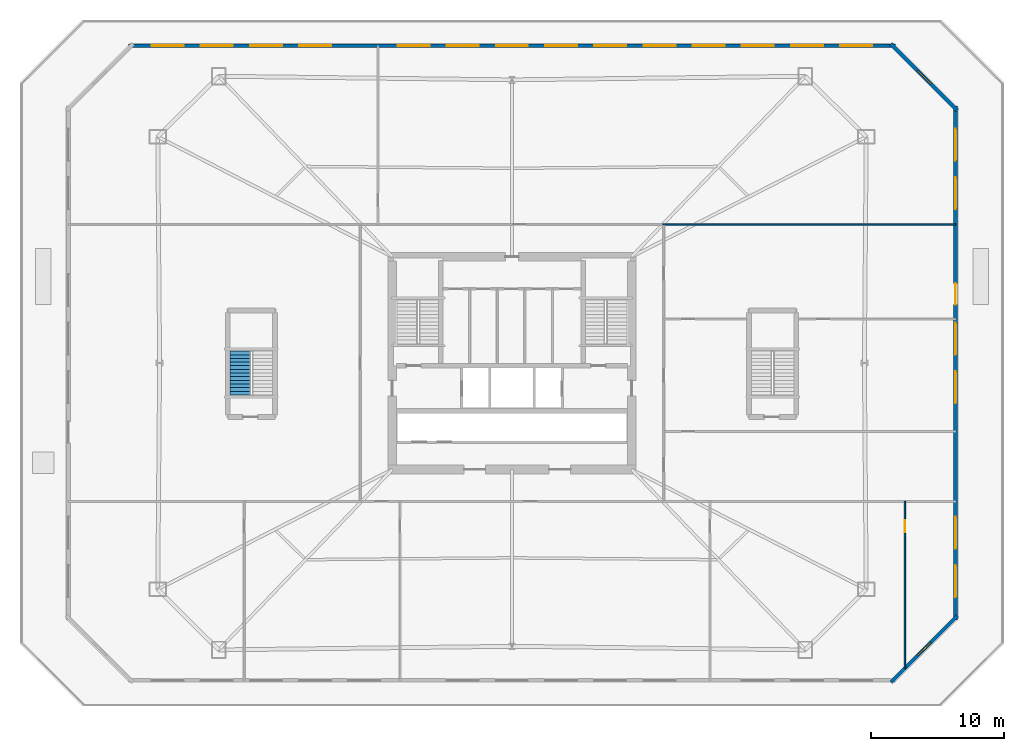
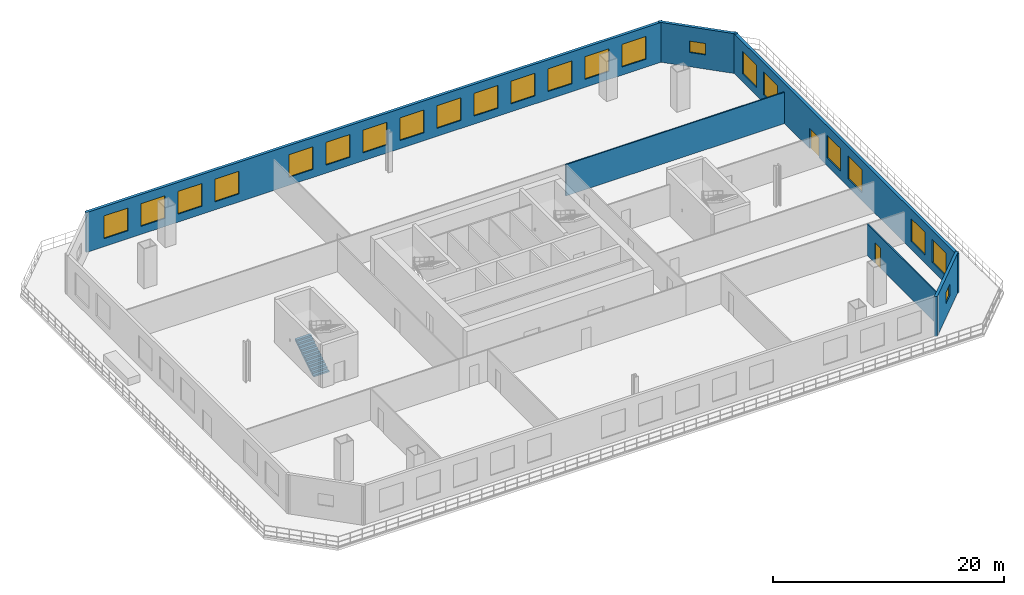
# One storey, part 5 of 10: 22 windows, 6 walls, 2 doors, 1 stair flight, 24 openings, 1 element without a shape of its own.
"""IFC4 building model written with IfcOpenShell, lengths in metres."""

from ifc_helpers import new_model, si_unit, direction, frame, frame_2d, origin, place, context, subcontext, project, spatial, polyline, rectangle, outline, extrude, material, layer, layer_set, type_object, element, fill, aggregate, save


model = new_model("IFC4")

# Units and contexts
model_context = context("Model", 3, precision=1e-05, world=origin(), true_north=direction((0.0, 1.0)))
body_context = subcontext(model_context, "Body", "Model", "MODEL_VIEW")
ifc_project = project(units=[si_unit("LENGTHUNIT", "METRE"), si_unit("AREAUNIT", "SQUARE_METRE"), si_unit("VOLUMEUNIT", "CUBIC_METRE"), si_unit("PLANEANGLEUNIT", "RADIAN"), si_unit("MASSUNIT", "GRAM", prefix="KILO")], contexts=[model_context])

# Site, building, storey
site_placement = place(None, origin())
site = spatial("IfcSite", under=ifc_project, at=site_placement, CompositionType="ELEMENT")
building_placement = place(site_placement, origin())
building = spatial("IfcBuilding", under=site, at=building_placement, Name="Caelvoria Tower", CompositionType="ELEMENT")
storey_placement = place(building_placement, frame((0.0, 0.0, 14.0)))
storey = spatial("IfcBuildingStorey", under=building, at=storey_placement, Name="L03", CompositionType="ELEMENT", Elevation=14.0)

# Wall, opening, window
ifc_material_1 = material(Name="Precast Concrete C40/50 with Bronze Cladding", Category="concrete")
ifc_layer_1 = layer(ifc_material_1, 0.280029296875, Name="Precast Concrete C40/50 with Bronze Cladding")
ifc_layer_set_1 = layer_set([ifc_layer_1], Name="Exterior Precast Concrete C40/50 Bronze-Clad Facade Wall 280 - Precast Concrete C40/50 with Bronze Cladding")
wall_type_1 = type_object("IfcWallType", Name="Exterior Precast Concrete C40/50 Bronze-Clad Facade Wall 280", PredefinedType="STANDARD", material=ifc_layer_set_1)
wall_1_placement = place(storey_placement, frame((74.501953125, 8.0, 0.0), z_axis=(0.0, 0.0, 1.0), x_axis=(0.707106781187, 0.707106781187, 0.0)))
wall_1 = element("IfcWall", 1, at=wall_1_placement, inside=storey, type_object=wall_type_1, Name="Exterior Facade Wall L03-E1", PredefinedType="STANDARD", context=body_context, shape_type="SweptSolid", body=[
    extrude(rectangle(XDim=7.068359375, YDim=0.280029296875, at=frame_2d((3.5341796875, 0.0))), origin(), (0.0, 0.0, 1.0), 4.2099609375),
])
opening_1_placement = place(wall_1_placement, frame((2.833984375, 0.0, 1.5)))
opening_1 = element("IfcOpeningElement", 2, at=opening_1_placement, cuts=wall_1, Name="Opening WN-06", PredefinedType="OPENING", context=body_context, shape_type="SweptSolid", body=[
    extrude(rectangle(XDim=1.39990234375, YDim=1.199951171875, at=frame_2d((0.699951171875, 0.60009765625))), frame((0.0, 0.14990234375, 0.0), z_axis=(0.0, -1.0, 0.0), x_axis=(1.0, 0.0, 0.0)), (0.0, 0.0, 1.0), 0.300048828125),
])
ifc_material_2 = material(Name="Low-E Tinted Glass in Bronze Aluminium Frame", Category="aluminium")
window_type_1 = type_object("IfcWindowType", Name="Podium Clerestory Window 1400x1200", PartitioningType="SINGLE_PANEL", PredefinedType="WINDOW", material=ifc_material_2)
window_1_placement = place(opening_1_placement, origin())
window_1 = element("IfcWindow", 3, at=window_1_placement, inside=storey, type_object=window_type_1, Name="Facade Window L03-E1-00", OverallHeight=1.199951171875, OverallWidth=1.39990234375, PartitioningType="SINGLE_PANEL", PredefinedType="WINDOW", context=body_context, shape_type="SweptSolid", body=[
    extrude(rectangle(XDim=1.39990234375, YDim=1.199951171875, at=frame_2d((0.699951171875, 0.60009765625))), frame((0.0, 0.030029296875, 0.0), z_axis=(0.0, -1.0, 0.0), x_axis=(1.0, 0.0, 0.0)), (0.0, 0.0, 1.0), 0.06005859375),
])
fill(opening_1, window_1)

# Wall, openings, windows, door
wall_2_placement = place(storey_placement, frame((79.360107421875, 12.659912109375, 0.0), z_axis=(0.0, 0.0, 1.0), x_axis=(0.0, 1.0, 0.0)))
wall_2 = element("IfcWall", 4, at=wall_2_placement, inside=storey, type_object=wall_type_1, Name="Exterior Facade Wall L03-E2", PredefinedType="STANDARD", context=body_context, shape_type="SweptSolid", body=[
    extrude(rectangle(XDim=38.68017578125, YDim=0.280029296875, at=frame_2d((19.340087890625, 0.0))), origin(), (0.0, 0.0, 1.0), 4.2099609375),
])
opening_2_placement = place(wall_2_placement, frame((23.739990234375, 0.0, 0.0)))
opening_2 = element("IfcOpeningElement", 5, at=opening_2_placement, cuts=wall_2, Name="Opening ED-03", PredefinedType="OPENING", context=body_context, shape_type="SweptSolid", body=[
    extrude(rectangle(XDim=1.60009765625, YDim=2.14990234375, at=frame_2d((0.800048828125, 1.074951171875))), frame((0.0, 0.14990234375, 0.0), z_axis=(0.0, -1.0, 0.0), x_axis=(1.0, 0.0, 0.0)), (0.0, 0.0, 1.0), 0.300048828125),
])
opening_3_placement = place(wall_2_placement, frame((1.72412109375, 0.0, 0.85009765625)))
opening_3 = element("IfcOpeningElement", 6, at=opening_3_placement, cuts=wall_2, Name="Opening WN-04", PredefinedType="OPENING", context=body_context, shape_type="SweptSolid", body=[
    extrude(rectangle(XDim=2.39990234375, YDim=2.39990234375, at=frame_2d((1.199951171875, 1.199951171875))), frame((0.0, 0.14990234375, 0.0), z_axis=(0.0, -1.0, 0.0), x_axis=(1.0, 0.0, 0.0)), (0.0, 0.0, 1.0), 0.300048828125),
])
opening_4_placement = place(wall_2_placement, frame((5.3720703125, 0.0, 0.85009765625)))
opening_4 = element("IfcOpeningElement", 7, at=opening_4_placement, cuts=wall_2, Name="Opening WN-04", PredefinedType="OPENING", context=body_context, shape_type="SweptSolid", body=[
    extrude(rectangle(XDim=2.39990234375, YDim=2.39990234375, at=frame_2d((1.199951171875, 1.199951171875))), frame((0.0, 0.14990234375, 0.0), z_axis=(0.0, -1.0, 0.0), x_axis=(1.0, 0.0, 0.0)), (0.0, 0.0, 1.0), 0.300048828125),
])
opening_5_placement = place(wall_2_placement, frame((16.31591796875, 0.0, 0.85009765625)))
opening_5 = element("IfcOpeningElement", 8, at=opening_5_placement, cuts=wall_2, Name="Opening WN-04", PredefinedType="OPENING", context=body_context, shape_type="SweptSolid", body=[
    extrude(rectangle(XDim=2.39990234375, YDim=2.39990234375, at=frame_2d((1.199951171875, 1.199951171875))), frame((0.0, 0.14990234375, 0.0), z_axis=(0.0, -1.0, 0.0), x_axis=(1.0, 0.0, 0.0)), (0.0, 0.0, 1.0), 0.300048828125),
])
opening_6_placement = place(wall_2_placement, frame((19.964111328125, 0.0, 0.85009765625)))
opening_6 = element("IfcOpeningElement", 9, at=opening_6_placement, cuts=wall_2, Name="Opening WN-04", PredefinedType="OPENING", context=body_context, shape_type="SweptSolid", body=[
    extrude(rectangle(XDim=2.39990234375, YDim=2.39990234375, at=frame_2d((1.199951171875, 1.199951171875))), frame((0.0, 0.14990234375, 0.0), z_axis=(0.0, -1.0, 0.0), x_axis=(1.0, 0.0, 0.0)), (0.0, 0.0, 1.0), 0.300048828125),
])
opening_7_placement = place(wall_2_placement, frame((30.907958984375, 0.0, 0.85009765625)))
opening_7 = element("IfcOpeningElement", 10, at=opening_7_placement, cuts=wall_2, Name="Opening WN-04", PredefinedType="OPENING", context=body_context, shape_type="SweptSolid", body=[
    extrude(rectangle(XDim=2.39990234375, YDim=2.39990234375, at=frame_2d((1.199951171875, 1.199951171875))), frame((0.0, 0.14990234375, 0.0), z_axis=(0.0, -1.0, 0.0), x_axis=(1.0, 0.0, 0.0)), (0.0, 0.0, 1.0), 0.300048828125),
])
opening_8_placement = place(wall_2_placement, frame((34.555908203125, 0.0, 0.85009765625)))
opening_8 = element("IfcOpeningElement", 11, at=opening_8_placement, cuts=wall_2, Name="Opening WN-04", PredefinedType="OPENING", context=body_context, shape_type="SweptSolid", body=[
    extrude(rectangle(XDim=2.39990234375, YDim=2.39990234375, at=frame_2d((1.199951171875, 1.199951171875))), frame((0.0, 0.14990234375, 0.0), z_axis=(0.0, -1.0, 0.0), x_axis=(1.0, 0.0, 0.0)), (0.0, 0.0, 1.0), 0.300048828125),
])
window_type_2 = type_object("IfcWindowType", Name="Podium Commercial Ribbon Window 2400x2400", PartitioningType="SINGLE_PANEL", PredefinedType="WINDOW", material=ifc_material_2)
window_2_placement = place(opening_3_placement, origin())
window_2 = element("IfcWindow", 12, at=window_2_placement, inside=storey, type_object=window_type_2, Name="Facade Window L03-E2-00", OverallHeight=2.39990234375, OverallWidth=2.39990234375, PartitioningType="SINGLE_PANEL", PredefinedType="WINDOW", context=body_context, shape_type="SweptSolid", body=[
    extrude(rectangle(XDim=2.39990234375, YDim=2.39990234375, at=frame_2d((1.199951171875, 1.199951171875))), frame((0.0, 0.030029296875, 0.0), z_axis=(0.0, -1.0, 0.0), x_axis=(1.0, 0.0, 0.0)), (0.0, 0.0, 1.0), 0.06005859375),
])
fill(opening_3, window_2)
window_3_placement = place(opening_4_placement, origin())
window_3 = element("IfcWindow", 13, at=window_3_placement, inside=storey, type_object=window_type_2, Name="Facade Window L03-E2-01", OverallHeight=2.39990234375, OverallWidth=2.39990234375, PartitioningType="SINGLE_PANEL", PredefinedType="WINDOW", context=body_context, shape_type="SweptSolid", body=[
    extrude(rectangle(XDim=2.39990234375, YDim=2.39990234375, at=frame_2d((1.199951171875, 1.199951171875))), frame((0.0, 0.030029296875, 0.0), z_axis=(0.0, -1.0, 0.0), x_axis=(1.0, 0.0, 0.0)), (0.0, 0.0, 1.0), 0.06005859375),
])
fill(opening_4, window_3)
window_4_placement = place(opening_5_placement, origin())
window_4 = element("IfcWindow", 14, at=window_4_placement, inside=storey, type_object=window_type_2, Name="Facade Window L03-E2-04", OverallHeight=2.39990234375, OverallWidth=2.39990234375, PartitioningType="SINGLE_PANEL", PredefinedType="WINDOW", context=body_context, shape_type="SweptSolid", body=[
    extrude(rectangle(XDim=2.39990234375, YDim=2.39990234375, at=frame_2d((1.199951171875, 1.199951171875))), frame((0.0, 0.030029296875, 0.0), z_axis=(0.0, -1.0, 0.0), x_axis=(1.0, 0.0, 0.0)), (0.0, 0.0, 1.0), 0.06005859375),
])
fill(opening_5, window_4)
window_5_placement = place(opening_6_placement, origin())
window_5 = element("IfcWindow", 15, at=window_5_placement, inside=storey, type_object=window_type_2, Name="Facade Window L03-E2-05", OverallHeight=2.39990234375, OverallWidth=2.39990234375, PartitioningType="SINGLE_PANEL", PredefinedType="WINDOW", context=body_context, shape_type="SweptSolid", body=[
    extrude(rectangle(XDim=2.39990234375, YDim=2.39990234375, at=frame_2d((1.199951171875, 1.199951171875))), frame((0.0, 0.030029296875, 0.0), z_axis=(0.0, -1.0, 0.0), x_axis=(1.0, 0.0, 0.0)), (0.0, 0.0, 1.0), 0.06005859375),
])
fill(opening_6, window_5)
window_6_placement = place(opening_7_placement, origin())
window_6 = element("IfcWindow", 16, at=window_6_placement, inside=storey, type_object=window_type_2, Name="Facade Window L03-E2-08", OverallHeight=2.39990234375, OverallWidth=2.39990234375, PartitioningType="SINGLE_PANEL", PredefinedType="WINDOW", context=body_context, shape_type="SweptSolid", body=[
    extrude(rectangle(XDim=2.39990234375, YDim=2.39990234375, at=frame_2d((1.199951171875, 1.199951171875))), frame((0.0, 0.030029296875, 0.0), z_axis=(0.0, -1.0, 0.0), x_axis=(1.0, 0.0, 0.0)), (0.0, 0.0, 1.0), 0.06005859375),
])
fill(opening_7, window_6)
window_7_placement = place(opening_8_placement, origin())
window_7 = element("IfcWindow", 17, at=window_7_placement, inside=storey, type_object=window_type_2, Name="Facade Window L03-E2-09", OverallHeight=2.39990234375, OverallWidth=2.39990234375, PartitioningType="SINGLE_PANEL", PredefinedType="WINDOW", context=body_context, shape_type="SweptSolid", body=[
    extrude(rectangle(XDim=2.39990234375, YDim=2.39990234375, at=frame_2d((1.199951171875, 1.199951171875))), frame((0.0, 0.030029296875, 0.0), z_axis=(0.0, -1.0, 0.0), x_axis=(1.0, 0.0, 0.0)), (0.0, 0.0, 1.0), 0.06005859375),
])
fill(opening_8, window_7)
ifc_material_3 = material(Name="Anodised Bronze Aluminium and Laminated Glass", Category="aluminium")
door_type_1 = type_object("IfcDoorType", Name="Terrace Garden Double Glazed Door 1600x2150", OperationType="NOTDEFINED", PredefinedType="DOOR", material=ifc_material_3)
door_1_placement = place(opening_2_placement, origin())
door_1 = element("IfcDoor", 18, at=door_1_placement, inside=storey, type_object=door_type_1, Name="Terrace Roof Garden Door L03-E", OperationType="DOUBLE_DOOR_SINGLE_SWING", OverallHeight=2.14990234375, OverallWidth=1.60009765625, PredefinedType="DOOR", context=body_context, shape_type="SweptSolid", body=[
    extrude(rectangle(XDim=1.60009765625, YDim=2.14990234375, at=frame_2d((0.800048828125, 1.074951171875))), frame((0.0, 0.02490234375, 0.0), z_axis=(0.0, -1.0, 0.0), x_axis=(1.0, 0.0, 0.0)), (0.0, 0.0, 1.0), 0.050048828125),
])
fill(opening_2, door_1)

# Wall, opening, window
wall_3_placement = place(storey_placement, frame((79.5, 51.001953125, 0.0), z_axis=(0.0, 0.0, 1.0), x_axis=(-0.707106781187, 0.707106781187, 0.0)))
wall_3 = element("IfcWall", 19, at=wall_3_placement, inside=storey, type_object=wall_type_1, Name="Exterior Facade Wall L03-E3", PredefinedType="STANDARD", context=body_context, shape_type="SweptSolid", body=[
    extrude(rectangle(XDim=7.068359375, YDim=0.280029296875, at=frame_2d((3.5341796875, 0.0))), origin(), (0.0, 0.0, 1.0), 4.2099609375),
])
opening_9_placement = place(wall_3_placement, frame((2.833984375, 0.0, 1.5)))
opening_9 = element("IfcOpeningElement", 20, at=opening_9_placement, cuts=wall_3, Name="Opening WN-06", PredefinedType="OPENING", context=body_context, shape_type="SweptSolid", body=[
    extrude(rectangle(XDim=1.39990234375, YDim=1.199951171875, at=frame_2d((0.699951171875, 0.60009765625))), frame((0.0, 0.14990234375, 0.0), z_axis=(0.0, -1.0, 0.0), x_axis=(1.0, 0.0, 0.0)), (0.0, 0.0, 1.0), 0.300048828125),
])
window_8_placement = place(opening_9_placement, origin())
window_8 = element("IfcWindow", 21, at=window_8_placement, inside=storey, type_object=window_type_1, Name="Facade Window L03-E3-00", OverallHeight=1.199951171875, OverallWidth=1.39990234375, PartitioningType="SINGLE_PANEL", PredefinedType="WINDOW", context=body_context, shape_type="SweptSolid", body=[
    extrude(rectangle(XDim=1.39990234375, YDim=1.199951171875, at=frame_2d((0.699951171875, 0.60009765625))), frame((0.0, 0.030029296875, 0.0), z_axis=(0.0, -1.0, 0.0), x_axis=(1.0, 0.0, 0.0)), (0.0, 0.0, 1.0), 0.06005859375),
])
fill(opening_9, window_8)

# Wall, openings, windows
wall_4_placement = place(storey_placement, frame((74.840087890625, 55.860107421875, 0.0), z_axis=(0.0, 0.0, 1.0), x_axis=(-1.0, 0.0, 0.0)))
wall_4 = element("IfcWall", 22, at=wall_4_placement, inside=storey, type_object=wall_type_1, Name="Exterior Facade Wall L03-E4", PredefinedType="STANDARD", context=body_context, shape_type="SweptSolid", body=[
    extrude(rectangle(XDim=57.68017578125, YDim=0.280029296875, at=frame_2d((28.840087890625, 0.0))), origin(), (0.0, 0.0, 1.0), 4.2099609375),
])
opening_10_placement = place(wall_4_placement, frame((1.749267578125, 0.0, 0.85009765625)))
opening_10 = element("IfcOpeningElement", 23, at=opening_10_placement, cuts=wall_4, Name="Opening WN-04", PredefinedType="OPENING", context=body_context, shape_type="SweptSolid", body=[
    extrude(rectangle(XDim=2.39990234375, YDim=2.39990234375, at=frame_2d((1.199951171875, 1.199951171875))), frame((0.0, 0.14990234375, 0.0), z_axis=(0.0, -1.0, 0.0), x_axis=(1.0, 0.0, 0.0)), (0.0, 0.0, 1.0), 0.300048828125),
])
opening_11_placement = place(wall_4_placement, frame((5.447998046875, 0.0, 0.85009765625)))
opening_11 = element("IfcOpeningElement", 24, at=opening_11_placement, cuts=wall_4, Name="Opening WN-04", PredefinedType="OPENING", context=body_context, shape_type="SweptSolid", body=[
    extrude(rectangle(XDim=2.39990234375, YDim=2.39990234375, at=frame_2d((1.199951171875, 1.199951171875))), frame((0.0, 0.14990234375, 0.0), z_axis=(0.0, -1.0, 0.0), x_axis=(1.0, 0.0, 0.0)), (0.0, 0.0, 1.0), 0.300048828125),
])
opening_12_placement = place(wall_4_placement, frame((9.146728515625, 0.0, 0.85009765625)))
opening_12 = element("IfcOpeningElement", 25, at=opening_12_placement, cuts=wall_4, Name="Opening WN-04", PredefinedType="OPENING", context=body_context, shape_type="SweptSolid", body=[
    extrude(rectangle(XDim=2.39990234375, YDim=2.39990234375, at=frame_2d((1.199951171875, 1.199951171875))), frame((0.0, 0.14990234375, 0.0), z_axis=(0.0, -1.0, 0.0), x_axis=(1.0, 0.0, 0.0)), (0.0, 0.0, 1.0), 0.300048828125),
])
opening_13_placement = place(wall_4_placement, frame((12.84521484375, 0.0, 0.85009765625)))
opening_13 = element("IfcOpeningElement", 26, at=opening_13_placement, cuts=wall_4, Name="Opening WN-04", PredefinedType="OPENING", context=body_context, shape_type="SweptSolid", body=[
    extrude(rectangle(XDim=2.39990234375, YDim=2.39990234375, at=frame_2d((1.199951171875, 1.199951171875))), frame((0.0, 0.14990234375, 0.0), z_axis=(0.0, -1.0, 0.0), x_axis=(1.0, 0.0, 0.0)), (0.0, 0.0, 1.0), 0.300048828125),
])
opening_14_placement = place(wall_4_placement, frame((16.5439453125, 0.0, 0.85009765625)))
opening_14 = element("IfcOpeningElement", 27, at=opening_14_placement, cuts=wall_4, Name="Opening WN-04", PredefinedType="OPENING", context=body_context, shape_type="SweptSolid", body=[
    extrude(rectangle(XDim=2.39990234375, YDim=2.39990234375, at=frame_2d((1.199951171875, 1.199951171875))), frame((0.0, 0.14990234375, 0.0), z_axis=(0.0, -1.0, 0.0), x_axis=(1.0, 0.0, 0.0)), (0.0, 0.0, 1.0), 0.300048828125),
])
opening_15_placement = place(wall_4_placement, frame((20.24267578125, 0.0, 0.85009765625)))
opening_15 = element("IfcOpeningElement", 28, at=opening_15_placement, cuts=wall_4, Name="Opening WN-04", PredefinedType="OPENING", context=body_context, shape_type="SweptSolid", body=[
    extrude(rectangle(XDim=2.39990234375, YDim=2.39990234375, at=frame_2d((1.199951171875, 1.199951171875))), frame((0.0, 0.14990234375, 0.0), z_axis=(0.0, -1.0, 0.0), x_axis=(1.0, 0.0, 0.0)), (0.0, 0.0, 1.0), 0.300048828125),
])
opening_16_placement = place(wall_4_placement, frame((23.94140625, 0.0, 0.85009765625)))
opening_16 = element("IfcOpeningElement", 29, at=opening_16_placement, cuts=wall_4, Name="Opening WN-04", PredefinedType="OPENING", context=body_context, shape_type="SweptSolid", body=[
    extrude(rectangle(XDim=2.39990234375, YDim=2.39990234375, at=frame_2d((1.199951171875, 1.199951171875))), frame((0.0, 0.14990234375, 0.0), z_axis=(0.0, -1.0, 0.0), x_axis=(1.0, 0.0, 0.0)), (0.0, 0.0, 1.0), 0.300048828125),
])
opening_17_placement = place(wall_4_placement, frame((27.639892578125, 0.0, 0.85009765625)))
opening_17 = element("IfcOpeningElement", 30, at=opening_17_placement, cuts=wall_4, Name="Opening WN-04", PredefinedType="OPENING", context=body_context, shape_type="SweptSolid", body=[
    extrude(rectangle(XDim=2.39990234375, YDim=2.39990234375, at=frame_2d((1.199951171875, 1.199951171875))), frame((0.0, 0.14990234375, 0.0), z_axis=(0.0, -1.0, 0.0), x_axis=(1.0, 0.0, 0.0)), (0.0, 0.0, 1.0), 0.300048828125),
])
opening_18_placement = place(wall_4_placement, frame((31.338623046875, 0.0, 0.85009765625)))
opening_18 = element("IfcOpeningElement", 31, at=opening_18_placement, cuts=wall_4, Name="Opening WN-04", PredefinedType="OPENING", context=body_context, shape_type="SweptSolid", body=[
    extrude(rectangle(XDim=2.39990234375, YDim=2.39990234375, at=frame_2d((1.199951171875, 1.199951171875))), frame((0.0, 0.14990234375, 0.0), z_axis=(0.0, -1.0, 0.0), x_axis=(1.0, 0.0, 0.0)), (0.0, 0.0, 1.0), 0.300048828125),
])
opening_19_placement = place(wall_4_placement, frame((35.037353515625, 0.0, 0.85009765625)))
opening_19 = element("IfcOpeningElement", 32, at=opening_19_placement, cuts=wall_4, Name="Opening WN-04", PredefinedType="OPENING", context=body_context, shape_type="SweptSolid", body=[
    extrude(rectangle(XDim=2.39990234375, YDim=2.39990234375, at=frame_2d((1.199951171875, 1.199951171875))), frame((0.0, 0.14990234375, 0.0), z_axis=(0.0, -1.0, 0.0), x_axis=(1.0, 0.0, 0.0)), (0.0, 0.0, 1.0), 0.300048828125),
])
opening_20_placement = place(wall_4_placement, frame((42.434814453125, 0.0, 0.85009765625)))
opening_20 = element("IfcOpeningElement", 33, at=opening_20_placement, cuts=wall_4, Name="Opening WN-04", PredefinedType="OPENING", context=body_context, shape_type="SweptSolid", body=[
    extrude(rectangle(XDim=2.39990234375, YDim=2.39990234375, at=frame_2d((1.199951171875, 1.199951171875))), frame((0.0, 0.14990234375, 0.0), z_axis=(0.0, -1.0, 0.0), x_axis=(1.0, 0.0, 0.0)), (0.0, 0.0, 1.0), 0.300048828125),
])
opening_21_placement = place(wall_4_placement, frame((46.13330078125, 0.0, 0.85009765625)))
opening_21 = element("IfcOpeningElement", 34, at=opening_21_placement, cuts=wall_4, Name="Opening WN-04", PredefinedType="OPENING", context=body_context, shape_type="SweptSolid", body=[
    extrude(rectangle(XDim=2.39990234375, YDim=2.39990234375, at=frame_2d((1.199951171875, 1.199951171875))), frame((0.0, 0.14990234375, 0.0), z_axis=(0.0, -1.0, 0.0), x_axis=(1.0, 0.0, 0.0)), (0.0, 0.0, 1.0), 0.300048828125),
])
opening_22_placement = place(wall_4_placement, frame((49.83203125, 0.0, 0.85009765625)))
opening_22 = element("IfcOpeningElement", 35, at=opening_22_placement, cuts=wall_4, Name="Opening WN-04", PredefinedType="OPENING", context=body_context, shape_type="SweptSolid", body=[
    extrude(rectangle(XDim=2.39990234375, YDim=2.39990234375, at=frame_2d((1.199951171875, 1.199951171875))), frame((0.0, 0.14990234375, 0.0), z_axis=(0.0, -1.0, 0.0), x_axis=(1.0, 0.0, 0.0)), (0.0, 0.0, 1.0), 0.300048828125),
])
opening_23_placement = place(wall_4_placement, frame((53.53076171875, 0.0, 0.85009765625)))
opening_23 = element("IfcOpeningElement", 36, at=opening_23_placement, cuts=wall_4, Name="Opening WN-04", PredefinedType="OPENING", context=body_context, shape_type="SweptSolid", body=[
    extrude(rectangle(XDim=2.39990234375, YDim=2.39990234375, at=frame_2d((1.199951171875, 1.199951171875))), frame((0.0, 0.14990234375, 0.0), z_axis=(0.0, -1.0, 0.0), x_axis=(1.0, 0.0, 0.0)), (0.0, 0.0, 1.0), 0.300048828125),
])
window_9_placement = place(opening_10_placement, origin())
window_9 = element("IfcWindow", 37, at=window_9_placement, inside=storey, type_object=window_type_2, Name="Facade Window L03-E4-00", OverallHeight=2.39990234375, OverallWidth=2.39990234375, PartitioningType="SINGLE_PANEL", PredefinedType="WINDOW", context=body_context, shape_type="SweptSolid", body=[
    extrude(rectangle(XDim=2.39990234375, YDim=2.39990234375, at=frame_2d((1.199951171875, 1.199951171875))), frame((0.0, 0.030029296875, 0.0), z_axis=(0.0, -1.0, 0.0), x_axis=(1.0, 0.0, 0.0)), (0.0, 0.0, 1.0), 0.06005859375),
])
fill(opening_10, window_9)
window_10_placement = place(opening_11_placement, origin())
window_10 = element("IfcWindow", 38, at=window_10_placement, inside=storey, type_object=window_type_2, Name="Facade Window L03-E4-01", OverallHeight=2.39990234375, OverallWidth=2.39990234375, PartitioningType="SINGLE_PANEL", PredefinedType="WINDOW", context=body_context, shape_type="SweptSolid", body=[
    extrude(rectangle(XDim=2.39990234375, YDim=2.39990234375, at=frame_2d((1.199951171875, 1.199951171875))), frame((0.0, 0.030029296875, 0.0), z_axis=(0.0, -1.0, 0.0), x_axis=(1.0, 0.0, 0.0)), (0.0, 0.0, 1.0), 0.06005859375),
])
fill(opening_11, window_10)
window_11_placement = place(opening_12_placement, origin())
window_11 = element("IfcWindow", 39, at=window_11_placement, inside=storey, type_object=window_type_2, Name="Facade Window L03-E4-02", OverallHeight=2.39990234375, OverallWidth=2.39990234375, PartitioningType="SINGLE_PANEL", PredefinedType="WINDOW", context=body_context, shape_type="SweptSolid", body=[
    extrude(rectangle(XDim=2.39990234375, YDim=2.39990234375, at=frame_2d((1.199951171875, 1.199951171875))), frame((0.0, 0.030029296875, 0.0), z_axis=(0.0, -1.0, 0.0), x_axis=(1.0, 0.0, 0.0)), (0.0, 0.0, 1.0), 0.06005859375),
])
fill(opening_12, window_11)
window_12_placement = place(opening_13_placement, origin())
window_12 = element("IfcWindow", 40, at=window_12_placement, inside=storey, type_object=window_type_2, Name="Facade Window L03-E4-03", OverallHeight=2.39990234375, OverallWidth=2.39990234375, PartitioningType="SINGLE_PANEL", PredefinedType="WINDOW", context=body_context, shape_type="SweptSolid", body=[
    extrude(rectangle(XDim=2.39990234375, YDim=2.39990234375, at=frame_2d((1.199951171875, 1.199951171875))), frame((0.0, 0.030029296875, 0.0), z_axis=(0.0, -1.0, 0.0), x_axis=(1.0, 0.0, 0.0)), (0.0, 0.0, 1.0), 0.06005859375),
])
fill(opening_13, window_12)
window_13_placement = place(opening_14_placement, origin())
window_13 = element("IfcWindow", 41, at=window_13_placement, inside=storey, type_object=window_type_2, Name="Facade Window L03-E4-04", OverallHeight=2.39990234375, OverallWidth=2.39990234375, PartitioningType="SINGLE_PANEL", PredefinedType="WINDOW", context=body_context, shape_type="SweptSolid", body=[
    extrude(rectangle(XDim=2.39990234375, YDim=2.39990234375, at=frame_2d((1.199951171875, 1.199951171875))), frame((0.0, 0.030029296875, 0.0), z_axis=(0.0, -1.0, 0.0), x_axis=(1.0, 0.0, 0.0)), (0.0, 0.0, 1.0), 0.06005859375),
])
fill(opening_14, window_13)
window_14_placement = place(opening_15_placement, origin())
window_14 = element("IfcWindow", 42, at=window_14_placement, inside=storey, type_object=window_type_2, Name="Facade Window L03-E4-05", OverallHeight=2.39990234375, OverallWidth=2.39990234375, PartitioningType="SINGLE_PANEL", PredefinedType="WINDOW", context=body_context, shape_type="SweptSolid", body=[
    extrude(rectangle(XDim=2.39990234375, YDim=2.39990234375, at=frame_2d((1.199951171875, 1.199951171875))), frame((0.0, 0.030029296875, 0.0), z_axis=(0.0, -1.0, 0.0), x_axis=(1.0, 0.0, 0.0)), (0.0, 0.0, 1.0), 0.06005859375),
])
fill(opening_15, window_14)
window_15_placement = place(opening_16_placement, origin())
window_15 = element("IfcWindow", 43, at=window_15_placement, inside=storey, type_object=window_type_2, Name="Facade Window L03-E4-06", OverallHeight=2.39990234375, OverallWidth=2.39990234375, PartitioningType="SINGLE_PANEL", PredefinedType="WINDOW", context=body_context, shape_type="SweptSolid", body=[
    extrude(rectangle(XDim=2.39990234375, YDim=2.39990234375, at=frame_2d((1.199951171875, 1.199951171875))), frame((0.0, 0.030029296875, 0.0), z_axis=(0.0, -1.0, 0.0), x_axis=(1.0, 0.0, 0.0)), (0.0, 0.0, 1.0), 0.06005859375),
])
fill(opening_16, window_15)
window_16_placement = place(opening_17_placement, origin())
window_16 = element("IfcWindow", 44, at=window_16_placement, inside=storey, type_object=window_type_2, Name="Facade Window L03-E4-07", OverallHeight=2.39990234375, OverallWidth=2.39990234375, PartitioningType="SINGLE_PANEL", PredefinedType="WINDOW", context=body_context, shape_type="SweptSolid", body=[
    extrude(rectangle(XDim=2.39990234375, YDim=2.39990234375, at=frame_2d((1.199951171875, 1.199951171875))), frame((0.0, 0.030029296875, 0.0), z_axis=(0.0, -1.0, 0.0), x_axis=(1.0, 0.0, 0.0)), (0.0, 0.0, 1.0), 0.06005859375),
])
fill(opening_17, window_16)
window_17_placement = place(opening_18_placement, origin())
window_17 = element("IfcWindow", 45, at=window_17_placement, inside=storey, type_object=window_type_2, Name="Facade Window L03-E4-08", OverallHeight=2.39990234375, OverallWidth=2.39990234375, PartitioningType="SINGLE_PANEL", PredefinedType="WINDOW", context=body_context, shape_type="SweptSolid", body=[
    extrude(rectangle(XDim=2.39990234375, YDim=2.39990234375, at=frame_2d((1.199951171875, 1.199951171875))), frame((0.0, 0.030029296875, 0.0), z_axis=(0.0, -1.0, 0.0), x_axis=(1.0, 0.0, 0.0)), (0.0, 0.0, 1.0), 0.06005859375),
])
fill(opening_18, window_17)
window_18_placement = place(opening_19_placement, origin())
window_18 = element("IfcWindow", 46, at=window_18_placement, inside=storey, type_object=window_type_2, Name="Facade Window L03-E4-09", OverallHeight=2.39990234375, OverallWidth=2.39990234375, PartitioningType="SINGLE_PANEL", PredefinedType="WINDOW", context=body_context, shape_type="SweptSolid", body=[
    extrude(rectangle(XDim=2.39990234375, YDim=2.39990234375, at=frame_2d((1.199951171875, 1.199951171875))), frame((0.0, 0.030029296875, 0.0), z_axis=(0.0, -1.0, 0.0), x_axis=(1.0, 0.0, 0.0)), (0.0, 0.0, 1.0), 0.06005859375),
])
fill(opening_19, window_18)
window_19_placement = place(opening_20_placement, origin())
window_19 = element("IfcWindow", 47, at=window_19_placement, inside=storey, type_object=window_type_2, Name="Facade Window L03-E4-11", OverallHeight=2.39990234375, OverallWidth=2.39990234375, PartitioningType="SINGLE_PANEL", PredefinedType="WINDOW", context=body_context, shape_type="SweptSolid", body=[
    extrude(rectangle(XDim=2.39990234375, YDim=2.39990234375, at=frame_2d((1.199951171875, 1.199951171875))), frame((0.0, 0.030029296875, 0.0), z_axis=(0.0, -1.0, 0.0), x_axis=(1.0, 0.0, 0.0)), (0.0, 0.0, 1.0), 0.06005859375),
])
fill(opening_20, window_19)
window_20_placement = place(opening_21_placement, origin())
window_20 = element("IfcWindow", 48, at=window_20_placement, inside=storey, type_object=window_type_2, Name="Facade Window L03-E4-12", OverallHeight=2.39990234375, OverallWidth=2.39990234375, PartitioningType="SINGLE_PANEL", PredefinedType="WINDOW", context=body_context, shape_type="SweptSolid", body=[
    extrude(rectangle(XDim=2.39990234375, YDim=2.39990234375, at=frame_2d((1.199951171875, 1.199951171875))), frame((0.0, 0.030029296875, 0.0), z_axis=(0.0, -1.0, 0.0), x_axis=(1.0, 0.0, 0.0)), (0.0, 0.0, 1.0), 0.06005859375),
])
fill(opening_21, window_20)
window_21_placement = place(opening_22_placement, origin())
window_21 = element("IfcWindow", 49, at=window_21_placement, inside=storey, type_object=window_type_2, Name="Facade Window L03-E4-13", OverallHeight=2.39990234375, OverallWidth=2.39990234375, PartitioningType="SINGLE_PANEL", PredefinedType="WINDOW", context=body_context, shape_type="SweptSolid", body=[
    extrude(rectangle(XDim=2.39990234375, YDim=2.39990234375, at=frame_2d((1.199951171875, 1.199951171875))), frame((0.0, 0.030029296875, 0.0), z_axis=(0.0, -1.0, 0.0), x_axis=(1.0, 0.0, 0.0)), (0.0, 0.0, 1.0), 0.06005859375),
])
fill(opening_22, window_21)
window_22_placement = place(opening_23_placement, origin())
window_22 = element("IfcWindow", 50, at=window_22_placement, inside=storey, type_object=window_type_2, Name="Facade Window L03-E4-14", OverallHeight=2.39990234375, OverallWidth=2.39990234375, PartitioningType="SINGLE_PANEL", PredefinedType="WINDOW", context=body_context, shape_type="SweptSolid", body=[
    extrude(rectangle(XDim=2.39990234375, YDim=2.39990234375, at=frame_2d((1.199951171875, 1.199951171875))), frame((0.0, 0.030029296875, 0.0), z_axis=(0.0, -1.0, 0.0), x_axis=(1.0, 0.0, 0.0)), (0.0, 0.0, 1.0), 0.06005859375),
])
fill(opening_23, window_22)

# Wall, opening, door
ifc_material_4 = material(Name="Acoustic Gypsum Board on Light-Gauge Stud", Category="gypsum")
ifc_layer_2 = layer(ifc_material_4, 0.1201171875, Name="Acoustic Gypsum Board on Light-Gauge Stud")
ifc_layer_set_2 = layer_set([ifc_layer_2], Name="Tenant Suite Acoustic Partition Wall 120 - Acoustic Gypsum Board on Light-Gauge Stud")
wall_type_2 = type_object("IfcWallType", Name="Tenant Suite Acoustic Partition Wall 120", PredefinedType="PARTITIONING", material=ifc_layer_set_2)
wall_5_placement = place(storey_placement, frame((75.54541015625, 21.590087890625, 0.0), z_axis=(0.0, 0.0, 1.0), x_axis=(0.0, -1.0, 0.0)))
wall_5 = element("IfcWall", 51, at=wall_5_placement, inside=storey, type_object=wall_type_2, Name="Interior Partition IW-L03-SD-03-0", PredefinedType="PARTITIONING", context=body_context, shape_type="SweptSolid", body=[
    extrude(rectangle(XDim=12.546875, YDim=0.1201171875, at=frame_2d((6.2734375, 0.0))), origin(), (0.0, 0.0, 1.0), 3.31005859375),
])
opening_24_placement = place(wall_5_placement, frame((1.39990234375, 0.0, 0.0)))
opening_24 = element("IfcOpeningElement", 52, at=opening_24_placement, cuts=wall_5, Name="Opening ID-06", PredefinedType="OPENING", context=body_context, shape_type="SweptSolid", body=[
    extrude(rectangle(XDim=0.89990234375, YDim=2.14990234375, at=frame_2d((0.449951171875, 1.074951171875))), frame((0.0, 0.070068359375, 0.0), z_axis=(0.0, -1.0, 0.0), x_axis=(1.0, 0.0, 0.0)), (0.0, 0.0, 1.0), 0.14013671875),
])
ifc_material_5 = material(Name="Engineered Andean Oak Veneer Door", Category="wood")
door_type_2 = type_object("IfcDoorType", Name="Interior Timber Door 900x2150", OperationType="NOTDEFINED", PredefinedType="DOOR", material=ifc_material_5)
door_2_placement = place(opening_24_placement, origin())
door_2 = element("IfcDoor", 53, at=door_2_placement, inside=storey, type_object=door_type_2, Name="Interior Door DR-L03-SM-03-0", OperationType="SINGLE_SWING_LEFT", OverallHeight=2.14990234375, OverallWidth=0.89990234375, PredefinedType="DOOR", context=body_context, shape_type="SweptSolid", body=[
    extrude(rectangle(XDim=0.89990234375, YDim=2.14990234375, at=frame_2d((0.449951171875, 1.074951171875))), frame((0.0, 0.02490234375, 0.0), z_axis=(0.0, -1.0, 0.0), x_axis=(1.0, 0.0, 0.0)), (0.0, 0.0, 1.0), 0.050048828125),
])
fill(opening_24, door_2)

# Wall
wall_6_placement = place(storey_placement, frame((57.35009765625, 42.409912109375, 0.0), z_axis=(0.0, 0.0, 1.0), x_axis=(1.0, 0.0, 0.0)))
element("IfcWall", 54, at=wall_6_placement, inside=storey, type_object=wall_type_2, Name="Interior Partition IW-L03-BNE-0", PredefinedType="PARTITIONING", context=body_context, shape_type="SweptSolid", body=[
    extrude(rectangle(XDim=22.010009765625, YDim=0.1201171875, at=frame_2d((11.0048828125, 0.0))), origin(), (0.0, 0.0, 1.0), 3.31005859375),
])

# Stair, stair flight
ifc_material_6 = material(Name="Concrete C40/50", Category="concrete")
stair_type = type_object("IfcStairType", Name="Core Smokeproof Dogleg Stair Concrete C40/50", PredefinedType="HALF_TURN_STAIR", material=ifc_material_6)
stair_placement = place(storey_placement, origin())
stair = element("IfcStair", 55, at=stair_placement, inside=storey, type_object=stair_type, Name="ST-03 Smokeproof Exit Stair L03", PredefinedType="HALF_TURN_STAIR")
ifc_material_7 = material(Name="Precast Concrete C40/50", Category="concrete")
stair_flight_type = type_object("IfcStairFlightType", Name="Precast Concrete C40/50 Stair Flight 1480", PredefinedType="STRAIGHT", material=ifc_material_7)
stair_flight_placement = place(storey_placement, frame((25.580078125, 29.60009765625, 0.0), z_axis=(0.0, 0.0, 1.0), x_axis=(0.0, 1.0, 0.0)))
stair_flight = element("IfcStairFlight", 56, at=stair_flight_placement, type_object=stair_flight_type, Name="ST-03 flight 1", NumberOfRisers=13, NumberOfTreads=12, PredefinedType="STRAIGHT", RiserHeight=0.1731, TreadLength=0.275, context=body_context, shape_type="SweptSolid", body=[
    extrude(outline(polyline([(0.0, 0.0), (0.0, 0.173095703125), (0.27490234375, 0.173095703125), (0.27490234375, 0.34619140625), (0.550048828125, 0.34619140625), (0.550048828125, 0.519287109375), (0.824951171875, 0.519287109375), (0.824951171875, 0.6923828125), (1.10009765625, 0.6923828125), (1.10009765625, 0.865478515625), (1.375, 0.865478515625), (1.375, 1.03857421875), (1.64990234375, 1.03857421875), (1.64990234375, 1.211669921875), (1.925048828125, 1.211669921875), (1.925048828125, 1.384765625), (2.199951171875, 1.384765625), (2.199951171875, 1.557861328125), (2.47509765625, 1.557861328125), (2.47509765625, 1.73095703125), (2.75, 1.73095703125), (2.75, 1.904052734375), (3.02490234375, 1.904052734375), (3.02490234375, 2.0771484375), (3.300048828125, 2.0771484375), (3.300048828125, 2.250244140625), (3.300048828125, 1.88818359375), (0.30029296875, 0.0), (0.0, 0.0)])), frame((0.0, 0.77001953125, 0.0), z_axis=(0.0, -1.0, 0.0), x_axis=(1.0, 0.0, 0.0)), (0.0, 0.0, 1.0), 1.5400390625),
])
aggregate(stair, [stair_flight])

save(model, "model.ifc")
